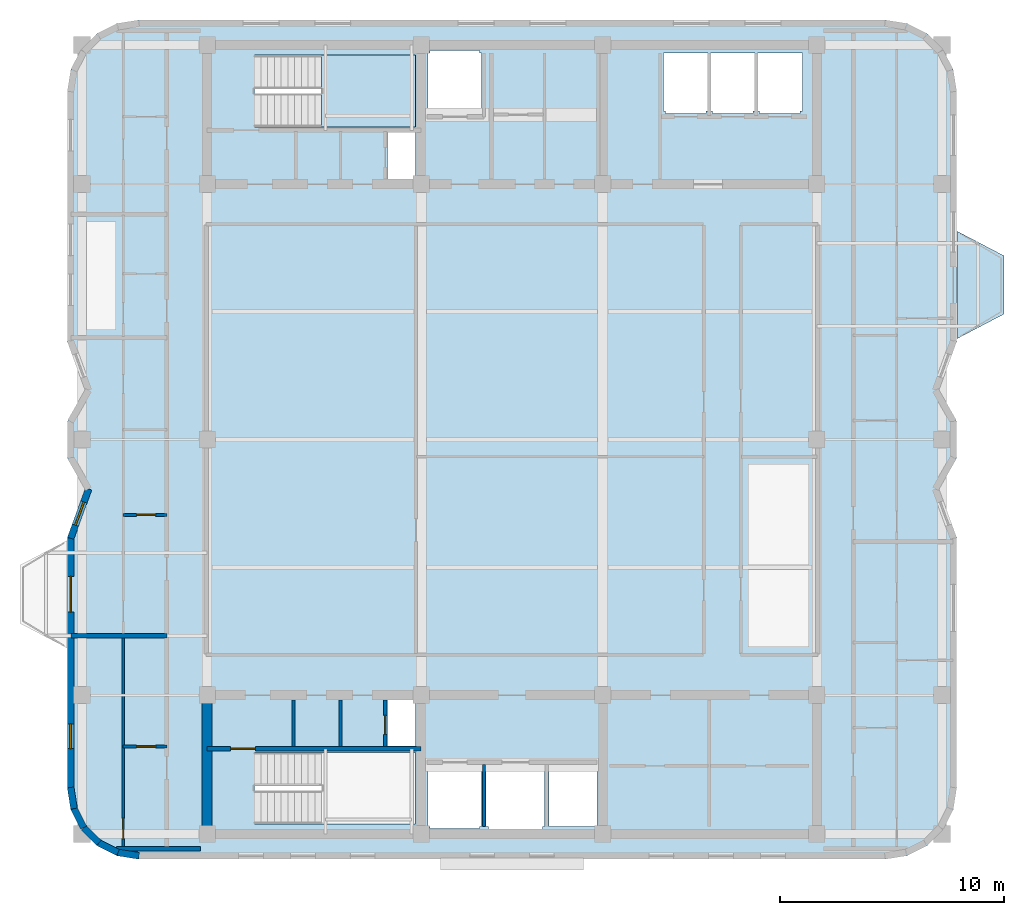
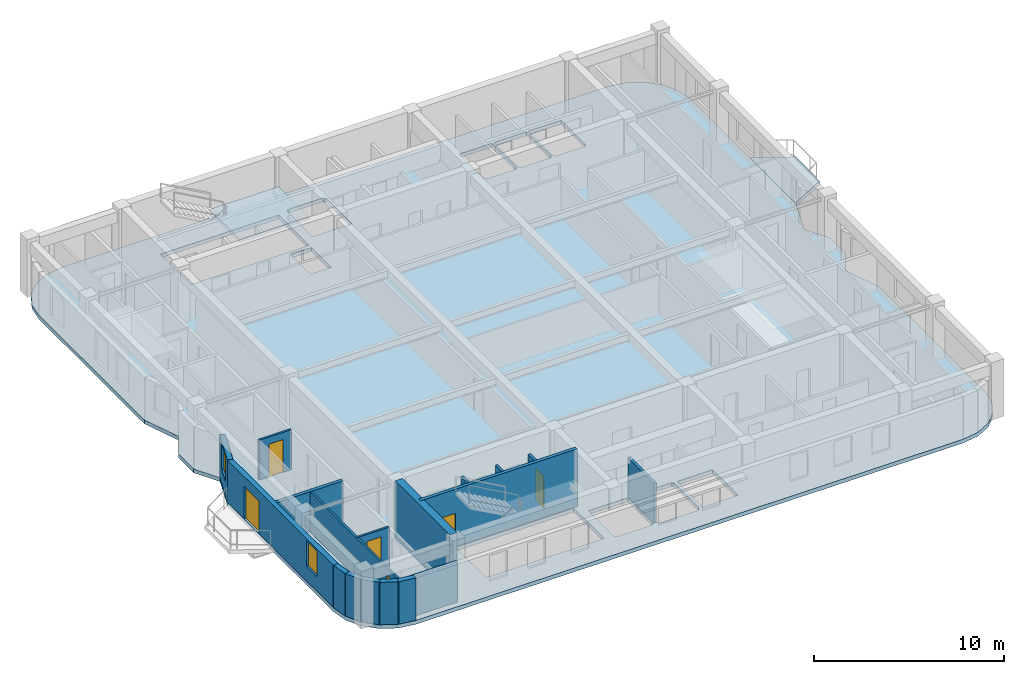
# One storey, part 2 of 9: 18 walls, 6 doors, 3 slabs, 2 windows, 8 openings, 1 element without a shape of its own.
"""IFC4 building model written with IfcOpenShell, lengths in metres."""

from ifc_helpers import new_model, si_unit, direction, frame, frame_2d, origin, place, context, subcontext, project, spatial, polyline, rectangle, outline, extrude, material, layer, layer_set, type_object, element, fill, aggregate, save


model = new_model("IFC4")

# Units and contexts
model_context = context("Model", 3, precision=1e-05, world=origin(), true_north=direction((0.0, 1.0)))
body_context = subcontext(model_context, "Body", "Model", "MODEL_VIEW")
ifc_project = project(units=[si_unit("LENGTHUNIT", "METRE"), si_unit("AREAUNIT", "SQUARE_METRE"), si_unit("VOLUMEUNIT", "CUBIC_METRE"), si_unit("PLANEANGLEUNIT", "RADIAN"), si_unit("MASSUNIT", "GRAM", prefix="KILO")], contexts=[model_context])

# Site, building, storey
site_placement = place(None, origin())
site = spatial("IfcSite", under=ifc_project, at=site_placement, CompositionType="ELEMENT")
building_placement = place(site_placement, origin())
building = spatial("IfcBuilding", under=site, at=building_placement, Name="Svetorya Sky Lyceum", CompositionType="ELEMENT")
storey_placement = place(building_placement, frame((0.0, 0.0, 271.300048828125)))
storey = spatial("IfcBuildingStorey", under=building, at=storey_placement, Name="L68", CompositionType="ELEMENT", Elevation=271.300048828125)

# Slab
ifc_material_1 = material(Name="Concrete C40/50", Category="concrete")
ifc_layer_1 = layer(ifc_material_1, 0.25)
ifc_layer_set_1 = layer_set([ifc_layer_1], Name="Concrete C40/50")
slab_type_1 = type_object("IfcSlabType", Name="SL-BAL-250", PredefinedType="FLOOR", material=ifc_layer_set_1)
slab_1_placement = place(storey_placement, frame((0.0, 0.0, -0.25)))
element("IfcSlab", 1, at=slab_1_placement, inside=storey, type_object=slab_type_1, Name="L68 Chamfered Loggia Balcony BAL-E1", PredefinedType="FLOOR", context=body_context, shape_type="SweptSolid", body=[
    extrude(outline(polyline([(59.050048828125, 32.699951171875), (61.14990234375, 33.800048828125), (61.14990234375, 36.39990234375), (59.050048828125, 37.5), (59.050048828125, 32.699951171875)])), origin(), (0.0, 0.0, 1.0), 0.25),
])

# Stair, slab
stair_type = type_object("IfcStairType", Name="STR-ST-N", PredefinedType="HALF_TURN_STAIR", material=ifc_material_1)
stair_placement = place(storey_placement, origin())
stair = element("IfcStair", 2, at=stair_placement, inside=storey, type_object=stair_type, Name="L68 North Core Smoke-Free Exit Stair N3", PredefinedType="HALF_TURN_STAIR")
ifc_layer_2 = layer(ifc_material_1, 0.199951171875)
ifc_layer_set_2 = layer_set([ifc_layer_2], Name="Concrete C40/50")
slab_type_2 = type_object("IfcSlabType", Name="SL-STR-LAND-200", PredefinedType="LANDING", material=ifc_layer_set_2)
slab_2_placement = place(storey_placement, frame((0.0, 0.0, 1.64990234375)))
slab_2 = element("IfcSlab", 3, at=slab_2_placement, type_object=slab_type_2, Name="ST-N landing 1", PredefinedType="LANDING", context=body_context, shape_type="SweptSolid", body=[
    extrude(outline(polyline([(30.699951171875, 42.14990234375), (34.89990234375, 42.14990234375), (34.89990234375, 45.35009765625), (30.699951171875, 45.35009765625), (30.699951171875, 42.14990234375)])), origin(), (0.0, 0.0, 1.0), 0.199951171875),
])
aggregate(stair, [slab_2])

# Slab
ifc_layer_3 = layer(ifc_material_1, 0.25)
ifc_layer_set_3 = layer_set([ifc_layer_3], Name="Concrete C40/50")
slab_type_3 = type_object("IfcSlabType", Name="SL-TWR-250", PredefinedType="FLOOR", material=ifc_layer_set_3)
slab_3_placement = place(storey_placement, frame((0.0, 0.0, -0.25)))
element("IfcSlab", 4, at=slab_3_placement, inside=storey, type_object=slab_type_3, Name="L68 Structural Floor Slab", PredefinedType="FLOOR", context=body_context, shape_type="SweptSolid", body=[
    extrude(outline(polyline([(19.360107421875, 12.679931640625), (19.5166015625, 11.691162109375), (19.97119140625, 10.799072265625), (20.67919921875, 10.091064453125), (21.571044921875, 9.63671875), (22.56005859375, 9.47998046875), (55.840087890625, 9.47998046875), (56.828857421875, 9.63671875), (57.720947265625, 10.091064453125), (58.428955078125, 10.799072265625), (58.88330078125, 11.691162109375), (59.0400390625, 12.679931640625), (59.0400390625, 23.800048828125), (58.239990234375, 26.0), (59.0400390625, 27.39990234375), (59.0400390625, 29.0), (58.239990234375, 30.39990234375), (59.0400390625, 32.60009765625), (59.0400390625, 43.719970703125), (58.88330078125, 44.708984375), (58.428955078125, 45.600830078125), (57.720947265625, 46.308837890625), (56.828857421875, 46.763427734375), (55.840087890625, 46.919921875), (22.56005859375, 46.919921875), (21.571044921875, 46.763427734375), (20.67919921875, 46.308837890625), (19.97119140625, 45.600830078125), (19.5166015625, 44.708984375), (19.360107421875, 43.719970703125), (19.360107421875, 32.60009765625), (20.159912109375, 30.39990234375), (19.360107421875, 29.0), (19.360107421875, 27.39990234375), (20.159912109375, 26.0), (19.360107421875, 23.800048828125), (19.360107421875, 12.679931640625)]), holes=[polyline([(37.85009765625, 10.949951171875), (37.75, 10.949951171875), (37.75, 10.85009765625), (35.550048828125, 10.85009765625), (35.550048828125, 10.949951171875), (35.449951171875, 10.949951171875), (35.449951171875, 13.64990234375), (35.550048828125, 13.64990234375), (37.75, 13.64990234375), (37.85009765625, 13.64990234375), (37.85009765625, 10.949951171875)]), polyline([(38.14990234375, 10.800048828125), (38.14990234375, 10.949951171875), (38.050048828125, 10.949951171875), (38.050048828125, 13.64990234375), (38.14990234375, 13.64990234375), (38.14990234375, 13.699951171875), (40.550048828125, 13.699951171875), (40.550048828125, 13.64990234375), (40.64990234375, 13.64990234375), (40.64990234375, 10.949951171875), (40.550048828125, 10.949951171875), (40.550048828125, 10.800048828125), (38.14990234375, 10.800048828125)]), polyline([(27.719970703125, 11.050048828125), (27.719970703125, 14.25), (34.89990234375, 14.25), (34.89990234375, 11.050048828125), (27.719970703125, 11.050048828125)]), polyline([(33.64990234375, 14.52001953125), (33.64990234375, 16.580078125), (34.89990234375, 16.580078125), (34.89990234375, 14.52001953125), (33.64990234375, 14.52001953125)]), polyline([(33.64990234375, 39.820068359375), (33.64990234375, 41.89990234375), (34.89990234375, 41.89990234375), (34.89990234375, 39.820068359375), (33.64990234375, 39.820068359375)]), polyline([(27.719970703125, 42.14990234375), (27.719970703125, 45.35009765625), (34.89990234375, 45.35009765625), (34.89990234375, 42.14990234375), (27.719970703125, 42.14990234375)]), polyline([(37.75, 42.75), (35.550048828125, 42.75), (35.449951171875, 42.75), (35.449951171875, 45.449951171875), (35.550048828125, 45.449951171875), (35.550048828125, 45.550048828125), (37.75, 45.550048828125), (37.75, 45.449951171875), (37.85009765625, 45.449951171875), (37.85009765625, 42.75), (37.75, 42.75)]), polyline([(40.85009765625, 10.949951171875), (40.85009765625, 13.64990234375), (43.0, 13.64990234375), (43.0, 10.949951171875), (40.85009765625, 10.949951171875)]), polyline([(46.050048828125, 42.75), (46.050048828125, 42.85009765625), (45.949951171875, 42.85009765625), (45.949951171875, 45.449951171875), (46.050048828125, 45.449951171875), (47.85009765625, 45.449951171875), (47.949951171875, 45.449951171875), (47.949951171875, 42.85009765625), (47.85009765625, 42.85009765625), (47.85009765625, 42.75), (46.050048828125, 42.75)]), polyline([(50.050048828125, 42.85009765625), (49.949951171875, 42.85009765625), (49.949951171875, 42.75), (48.14990234375, 42.75), (48.14990234375, 42.85009765625), (48.050048828125, 42.85009765625), (48.050048828125, 45.449951171875), (48.14990234375, 45.449951171875), (49.949951171875, 45.449951171875), (50.050048828125, 45.449951171875), (50.050048828125, 42.85009765625)]), polyline([(52.14990234375, 42.85009765625), (52.050048828125, 42.85009765625), (52.050048828125, 42.75), (50.25, 42.75), (50.25, 42.85009765625), (50.14990234375, 42.85009765625), (50.14990234375, 45.449951171875), (50.25, 45.449951171875), (52.050048828125, 45.449951171875), (52.14990234375, 45.449951171875), (52.14990234375, 42.85009765625)])]), origin(), (0.0, 0.0, 1.0), 0.25),
])

# Walls
ifc_material_2 = material(Name="Concrete C50/60", Category="concrete")
ifc_layer_4 = layer(ifc_material_2, 0.449951171875)
ifc_layer_set_4 = layer_set([ifc_layer_4], Name="Concrete C50/60")
wall_type_1 = type_object("IfcWallType", Name="WL-CORE-450", PredefinedType="SHEAR", material=ifc_layer_set_4)
wall_1_placement = place(storey_placement, frame((25.60009765625, 10.824951171875, 0.0), z_axis=(0.0, 0.0, 1.0), x_axis=(0.0, 1.0, 0.0)))
element("IfcWall", 5, at=wall_1_placement, inside=storey, type_object=wall_type_1, Name="L68 SC West Core Shear Wall", PredefinedType="SHEAR", context=body_context, shape_type="SweptSolid", body=[
    extrude(rectangle(XDim=5.75, YDim=0.449951171875, at=frame_2d((2.875, 0.0))), origin(), (0.0, 0.0, 1.0), 3.699951171875),
])
ifc_material_3 = material(Name="Putilovo limestone rainscreen on autoclaved cellular masonry", Category="masonry")
ifc_layer_5 = layer(ifc_material_3, 0.300048828125)
ifc_layer_set_5 = layer_set([ifc_layer_5], Name="Putilovo limestone rainscreen on autoclaved cellular masonry")
wall_type_2 = type_object("IfcWallType", Name="WL-EXT-300", PredefinedType="SOLIDWALL", material=ifc_layer_set_5)
wall_2_placement = place(storey_placement, frame((19.510009765625, 12.679931640625, 0.0), z_axis=(0.0, 0.0, 1.0), x_axis=(0.156343617883, -0.987702725088, 0.0)))
element("IfcWall", 6, at=wall_2_placement, inside=storey, type_object=wall_type_2, Name="L68 Limestone Exterior Wall 1M", PredefinedType="SOLIDWALL", context=body_context, shape_type="SweptSolid", body=[
    extrude(rectangle(XDim=0.9541015625, YDim=0.300048828125, at=frame_2d((0.47705078125, 0.0))), origin(), (0.0, 0.0, 1.0), 2.72998046875),
])
for number, where, z_axis, x_axis, name in (
    (7, (19.6591796875, 11.737548828125, 0.0), (0.0, 0.0, 1.0), (0.454056065666, -0.890973113642, 0.0), "L68 Limestone Exterior Wall 2M"),
    (8, (20.092529296875, 10.88720703125, 0.0), (0.0, 0.0, 1.0), (0.707106781187, -0.707106781187, 0.0), "L68 Limestone Exterior Wall 3M"),
):
    element("IfcWall", number, at=place(storey_placement, frame(where, z_axis=z_axis, x_axis=x_axis)), inside=storey, type_object=wall_type_2, Name=name, PredefinedType="SOLIDWALL", context=body_context, shape_type="SweptSolid", body=[
        extrude(rectangle(XDim=0.954345703125, YDim=0.300048828125, at=frame_2d((0.47705078125, 0.0))), origin(), (0.0, 0.0, 1.0), 2.72998046875),
    ])
wall_3_placement = place(storey_placement, frame((20.767333984375, 10.21240234375, 0.0), z_axis=(0.0, 0.0, 1.0), x_axis=(0.891023873617, -0.45395644796, 0.0)))
element("IfcWall", 9, at=wall_3_placement, inside=storey, type_object=wall_type_2, Name="L68 Limestone Exterior Wall 4M", PredefinedType="SOLIDWALL", context=body_context, shape_type="SweptSolid", body=[
    extrude(rectangle(XDim=0.9541015625, YDim=0.300048828125, at=frame_2d((0.47705078125, 0.0))), origin(), (0.0, 0.0, 1.0), 2.72998046875),
])
wall_4_placement = place(storey_placement, frame((21.617431640625, 9.779296875, 0.0), z_axis=(0.0, 0.0, 1.0), x_axis=(0.987669453596, -0.156553666304, 0.0)))
element("IfcWall", 10, at=wall_4_placement, inside=storey, type_object=wall_type_2, Name="L68 Limestone Exterior Wall 5M", PredefinedType="SOLIDWALL", context=body_context, shape_type="SweptSolid", body=[
    extrude(rectangle(XDim=0.954345703125, YDim=0.300048828125, at=frame_2d((0.47705078125, 0.0))), origin(), (0.0, 0.0, 1.0), 2.72998046875),
])

# Wall, opening, window
wall_5_placement = place(storey_placement, frame((20.31005859375, 26.0, 0.0), z_axis=(0.0, 0.0, 1.0), x_axis=(-0.341768184638, -0.939784287999, 0.0)))
wall_5 = element("IfcWall", 11, at=wall_5_placement, inside=storey, type_object=wall_type_2, Name="L68 Limestone Exterior Wall 35M", PredefinedType="SOLIDWALL", context=body_context, shape_type="SweptSolid", body=[
    extrude(rectangle(XDim=2.3408203125, YDim=0.300048828125, at=frame_2d((1.17041015625, 0.0))), origin(), (0.0, 0.0, 1.0), 2.72998046875),
])
opening_1_placement = place(wall_5_placement, frame((0.62060546875, 0.0, 0.919921875)))
opening_1 = element("IfcOpeningElement", 12, at=opening_1_placement, cuts=wall_5, Name="Opening W-R3", PredefinedType="OPENING", context=body_context, shape_type="SweptSolid", body=[
    extrude(rectangle(XDim=1.10009765625, YDim=1.64990234375, at=frame_2d((0.550048828125, 0.824951171875))), frame((0.0, 0.159912109375, 0.0), z_axis=(0.0, -1.0, 0.0), x_axis=(1.0, 0.0, 0.0)), (0.0, 0.0, 1.0), 0.320068359375),
])
ifc_material_4 = material(Name="Thermally broken aluminium frame with triple low-E glazing", Category="aluminium")
window_type = type_object("IfcWindowType", Name="WN-RES-110", PartitioningType="SINGLE_PANEL", PredefinedType="WINDOW", material=ifc_material_4)
window_1_placement = place(opening_1_placement, origin())
window_1 = element("IfcWindow", 13, at=window_1_placement, inside=storey, type_object=window_type, Name="L68 Facade Window W-R3.35M.1", OverallHeight=1.64990234375, OverallWidth=1.10009765625, PartitioningType="SINGLE_PANEL", PredefinedType="WINDOW", context=body_context, shape_type="SweptSolid", body=[
    extrude(rectangle(XDim=1.10009765625, YDim=1.64990234375, at=frame_2d((0.550048828125, 0.824951171875))), frame((0.0, 0.030029296875, 0.0), z_axis=(0.0, -1.0, 0.0), x_axis=(1.0, 0.0, 0.0)), (0.0, 0.0, 1.0), 0.06005859375),
])
fill(opening_1, window_1)

# Wall, openings, door, window
wall_6_placement = place(storey_placement, frame((19.510009765625, 23.800048828125, 0.0), z_axis=(0.0, 0.0, 1.0), x_axis=(0.0, -1.0, 0.0)))
wall_6 = element("IfcWall", 14, at=wall_6_placement, inside=storey, type_object=wall_type_2, Name="L68 Limestone Exterior Wall 36M", PredefinedType="SOLIDWALL", context=body_context, shape_type="SweptSolid", body=[
    extrude(rectangle(XDim=11.1201171875, YDim=0.300048828125, at=frame_2d((5.56005859375, 0.0))), origin(), (0.0, 0.0, 1.0), 2.72998046875),
])
opening_2_placement = place(wall_6_placement, frame((1.699951171875, 0.0, 0.0)))
opening_2 = element("IfcOpeningElement", 15, at=opening_2_placement, cuts=wall_6, Name="Opening D-BL1", PredefinedType="OPENING", context=body_context, shape_type="SweptSolid", body=[
    extrude(rectangle(XDim=1.60009765625, YDim=2.10009765625, at=frame_2d((0.800048828125, 1.050048828125))), frame((0.0, 0.159912109375, 0.0), z_axis=(0.0, -1.0, 0.0), x_axis=(1.0, 0.0, 0.0)), (0.0, 0.0, 1.0), 0.320068359375),
])
opening_3_placement = place(wall_6_placement, frame((8.283203125, 0.0, 0.949951171875)))
opening_3 = element("IfcOpeningElement", 16, at=opening_3_placement, cuts=wall_6, Name="Opening W-R3", PredefinedType="OPENING", context=body_context, shape_type="SweptSolid", body=[
    extrude(rectangle(XDim=1.10009765625, YDim=1.64990234375, at=frame_2d((0.550048828125, 0.824951171875))), frame((0.0, 0.159912109375, 0.0), z_axis=(0.0, -1.0, 0.0), x_axis=(1.0, 0.0, 0.0)), (0.0, 0.0, 1.0), 0.320068359375),
])
ifc_material_5 = material(Name="Insulated glazed aluminium balcony door", Category="aluminium")
door_type_1 = type_object("IfcDoorType", Name="DR-BAL-1600", OperationType="DOUBLE_DOOR_SINGLE_SWING", PredefinedType="DOOR", material=ifc_material_5)
door_1_placement = place(opening_2_placement, origin())
door_1 = element("IfcDoor", 17, at=door_1_placement, inside=storey, type_object=door_type_1, Name="L68 Balcony BAL-W1 Door", OperationType="DOUBLE_DOOR_SINGLE_SWING", OverallHeight=2.10009765625, OverallWidth=1.60009765625, PredefinedType="DOOR", context=body_context, shape_type="SweptSolid", body=[
    extrude(rectangle(XDim=1.60009765625, YDim=2.10009765625, at=frame_2d((0.800048828125, 1.050048828125))), frame((0.0, 0.02490234375, 0.0), z_axis=(0.0, -1.0, 0.0), x_axis=(1.0, 0.0, 0.0)), (0.0, 0.0, 1.0), 0.050048828125),
])
fill(opening_2, door_1)
window_2_placement = place(opening_3_placement, origin())
window_2 = element("IfcWindow", 18, at=window_2_placement, inside=storey, type_object=window_type, Name="L68 Facade Window W-R3.36M.1", OverallHeight=1.64990234375, OverallWidth=1.10009765625, PartitioningType="SINGLE_PANEL", PredefinedType="WINDOW", context=body_context, shape_type="SweptSolid", body=[
    extrude(rectangle(XDim=1.10009765625, YDim=1.64990234375, at=frame_2d((0.550048828125, 0.824951171875))), frame((0.0, 0.030029296875, 0.0), z_axis=(0.0, -1.0, 0.0), x_axis=(1.0, 0.0, 0.0)), (0.0, 0.0, 1.0), 0.06005859375),
])
fill(opening_3, window_2)

# Wall, opening, door
ifc_material_6 = material(Name="Twin-stud galvanized framing with double fireboard", Category="gypsum")
ifc_layer_6 = layer(ifc_material_6, 0.1201171875)
ifc_layer_set_6 = layer_set([ifc_layer_6], Name="Twin-stud galvanized framing with double fireboard")
wall_type_3 = type_object("IfcWallType", Name="WL-PART-120", PredefinedType="PARTITIONING", material=ifc_layer_set_6)
wall_7_placement = place(storey_placement, frame((21.85009765625, 14.510009765625, 0.0), z_axis=(0.0, 0.0, 1.0), x_axis=(1.0, 0.0, 0.0)))
wall_7 = element("IfcWall", 19, at=wall_7_placement, inside=storey, type_object=wall_type_3, Name="L68 Interior Partition W1-WH1", PredefinedType="PARTITIONING", context=body_context, shape_type="SweptSolid", body=[
    extrude(rectangle(XDim=1.949951171875, YDim=0.1201171875, at=frame_2d((0.97509765625, 0.0))), origin(), (0.0, 0.0, 1.0), 2.56005859375),
])
opening_4_placement = place(wall_7_placement, frame((0.60009765625, 0.0, 0.0)))
opening_4 = element("IfcOpeningElement", 20, at=opening_4_placement, cuts=wall_7, Name="Opening D-BT1", PredefinedType="OPENING", context=body_context, shape_type="SweptSolid", body=[
    extrude(rectangle(XDim=0.85009765625, YDim=2.10009765625, at=frame_2d((0.425048828125, 1.050048828125))), frame((0.0, 0.070068359375, 0.0), z_axis=(0.0, -1.0, 0.0), x_axis=(1.0, 0.0, 0.0)), (0.0, 0.0, 1.0), 0.14013671875),
])
ifc_material_7 = material(Name="Moisture-resistant laminate bathroom door")
door_type_2 = type_object("IfcDoorType", Name="DR-WET-850", OperationType="SINGLE_SWING_LEFT", PredefinedType="DOOR", material=ifc_material_7)
door_2_placement = place(opening_4_placement, origin())
door_2 = element("IfcDoor", 21, at=door_2_placement, inside=storey, type_object=door_type_2, Name="Apartment W1 Bathroom Door", OperationType="SINGLE_SWING_LEFT", OverallHeight=2.10009765625, OverallWidth=0.85009765625, PredefinedType="DOOR", context=body_context, shape_type="SweptSolid", body=[
    extrude(rectangle(XDim=0.85009765625, YDim=2.10009765625, at=frame_2d((0.425048828125, 1.050048828125))), frame((0.0, 0.02490234375, 0.0), z_axis=(0.0, -1.0, 0.0), x_axis=(1.0, 0.0, 0.0)), (0.0, 0.0, 1.0), 0.050048828125),
])
fill(opening_4, door_2)

wall_8_placement = place(storey_placement, frame((21.85009765625, 9.989990234375, 0.0), z_axis=(0.0, 0.0, 1.0), x_axis=(0.0, 1.0, 0.0)))
wall_8 = element("IfcWall", 22, at=wall_8_placement, inside=storey, type_object=wall_type_3, Name="L68 Interior Partition W1-WV", PredefinedType="PARTITIONING", context=body_context, shape_type="SweptSolid", body=[
    extrude(rectangle(XDim=9.409912109375, YDim=0.1201171875, at=frame_2d((4.705078125, 0.0))), origin(), (0.0, 0.0, 1.0), 2.56005859375),
])
opening_5_placement = place(wall_8_placement, frame((0.409912109375, 0.0, 0.0)))
opening_5 = element("IfcOpeningElement", 23, at=opening_5_placement, cuts=wall_8, Name="Opening D-RM1", PredefinedType="OPENING", context=body_context, shape_type="SweptSolid", body=[
    extrude(rectangle(XDim=0.89990234375, YDim=2.10009765625, at=frame_2d((0.449951171875, 1.050048828125))), frame((0.0, 0.070068359375, 0.0), z_axis=(0.0, -1.0, 0.0), x_axis=(1.0, 0.0, 0.0)), (0.0, 0.0, 1.0), 0.14013671875),
])
ifc_material_8 = material(Name="Lacquered birch veneer internal door")
door_type_3 = type_object("IfcDoorType", Name="DR-INT-900", OperationType="SINGLE_SWING_LEFT", PredefinedType="DOOR", material=ifc_material_8)
door_3_placement = place(opening_5_placement, origin())
door_3 = element("IfcDoor", 24, at=door_3_placement, inside=storey, type_object=door_type_3, Name="Apartment W1 Living Door", OperationType="SINGLE_SWING_RIGHT", OverallHeight=2.10009765625, OverallWidth=0.89990234375, PredefinedType="DOOR", context=body_context, shape_type="SweptSolid", body=[
    extrude(rectangle(XDim=0.89990234375, YDim=2.10009765625, at=frame_2d((0.449951171875, 1.050048828125))), frame((0.0, 0.02490234375, 0.0), z_axis=(0.0, -1.0, 0.0), x_axis=(1.0, 0.0, 0.0)), (0.0, 0.0, 1.0), 0.050048828125),
])
fill(opening_5, door_3)

wall_9_placement = place(storey_placement, frame((21.85009765625, 24.840087890625, 0.0), z_axis=(0.0, 0.0, 1.0), x_axis=(1.0, 0.0, 0.0)))
wall_9 = element("IfcWall", 25, at=wall_9_placement, inside=storey, type_object=wall_type_3, Name="L68 Interior Partition W2-WH1", PredefinedType="PARTITIONING", context=body_context, shape_type="SweptSolid", body=[
    extrude(rectangle(XDim=1.949951171875, YDim=0.1201171875, at=frame_2d((0.97509765625, 0.0))), origin(), (0.0, 0.0, 1.0), 2.56005859375),
])
opening_6_placement = place(wall_9_placement, frame((0.60009765625, 0.0, 0.0)))
opening_6 = element("IfcOpeningElement", 26, at=opening_6_placement, cuts=wall_9, Name="Opening D-BT1", PredefinedType="OPENING", context=body_context, shape_type="SweptSolid", body=[
    extrude(rectangle(XDim=0.85009765625, YDim=2.10009765625, at=frame_2d((0.425048828125, 1.050048828125))), frame((0.0, 0.070068359375, 0.0), z_axis=(0.0, -1.0, 0.0), x_axis=(1.0, 0.0, 0.0)), (0.0, 0.0, 1.0), 0.14013671875),
])
door_4_placement = place(opening_6_placement, origin())
door_4 = element("IfcDoor", 27, at=door_4_placement, inside=storey, type_object=door_type_2, Name="Apartment W2 Bathroom Door", OperationType="SINGLE_SWING_RIGHT", OverallHeight=2.10009765625, OverallWidth=0.85009765625, PredefinedType="DOOR", context=body_context, shape_type="SweptSolid", body=[
    extrude(rectangle(XDim=0.85009765625, YDim=2.10009765625, at=frame_2d((0.425048828125, 1.050048828125))), frame((0.0, 0.02490234375, 0.0), z_axis=(0.0, -1.0, 0.0), x_axis=(1.0, 0.0, 0.0)), (0.0, 0.0, 1.0), 0.050048828125),
])
fill(opening_6, door_4)

# Walls
ifc_material_9 = material(Name="Autoclaved cellular masonry blockwork with acoustic render", Category="masonry")
ifc_layer_7 = layer(ifc_material_9, 0.14990234375)
ifc_layer_set_7 = layer_set([ifc_layer_7], Name="Autoclaved cellular masonry blockwork with acoustic render")
wall_type_4 = type_object("IfcWallType", Name="WL-PART-150", PredefinedType="PARTITIONING", material=ifc_layer_set_7)
for number, where, z_axis, x_axis, name in (
    (28, (29.449951171875, 14.5, 0.0), (0.0, 0.0, 1.0), (0.0, 1.0, 0.0), "L68 Interior Partition SC-SWD1"),
    (29, (31.550048828125, 14.5, 0.0), (0.0, 0.0, 1.0), (0.0, 1.0, 0.0), "L68 Interior Partition SC-SWD2"),
):
    element("IfcWall", number, at=place(storey_placement, frame(where, z_axis=z_axis, x_axis=x_axis)), inside=storey, type_object=wall_type_4, Name=name, PredefinedType="PARTITIONING", context=body_context, shape_type="SweptSolid", body=[
        extrude(rectangle(XDim=2.080078125, YDim=0.14990234375, at=frame_2d((1.0400390625, 0.0))), origin(), (0.0, 0.0, 1.0), 2.56005859375),
    ])

# Wall, opening, door
wall_10_placement = place(storey_placement, frame((33.550048828125, 14.5, 0.0), z_axis=(0.0, 0.0, 1.0), x_axis=(0.0, 1.0, 0.0)))
wall_10 = element("IfcWall", 30, at=wall_10_placement, inside=storey, type_object=wall_type_4, Name="L68 Interior Partition SC-SWD3", PredefinedType="PARTITIONING", context=body_context, shape_type="SweptSolid", body=[
    extrude(rectangle(XDim=2.080078125, YDim=0.14990234375, at=frame_2d((1.0400390625, 0.0))), origin(), (0.0, 0.0, 1.0), 2.56005859375),
])
opening_7_placement = place(wall_10_placement, frame((0.550048828125, 0.0, 0.0)))
opening_7 = element("IfcOpeningElement", 31, at=opening_7_placement, cuts=wall_10, Name="Opening D-SH1", PredefinedType="OPENING", context=body_context, shape_type="SweptSolid", body=[
    extrude(rectangle(XDim=0.85009765625, YDim=2.050048828125, at=frame_2d((0.425048828125, 1.02490234375))), frame((0.0, 0.0849609375, 0.0), z_axis=(0.0, -1.0, 0.0), x_axis=(1.0, 0.0, 0.0)), (0.0, 0.0, 1.0), 0.169921875),
])
ifc_material_10 = material(Name="Insulated galvanized riser inspection fire door")
door_type_4 = type_object("IfcDoorType", Name="DR-SHFT-850", OperationType="SINGLE_SWING_LEFT", PredefinedType="TRAPDOOR", material=ifc_material_10)
door_5_placement = place(opening_7_placement, origin())
door_5 = element("IfcDoor", 32, at=door_5_placement, inside=storey, type_object=door_type_4, Name="L68 South Riser Access Door", OperationType="SINGLE_SWING_RIGHT", OverallHeight=2.050048828125, OverallWidth=0.85009765625, PredefinedType="TRAPDOOR", context=body_context, shape_type="SweptSolid", body=[
    extrude(rectangle(XDim=0.85009765625, YDim=2.050048828125, at=frame_2d((0.425048828125, 1.02490234375))), frame((0.0, 0.02490234375, 0.0), z_axis=(0.0, -1.0, 0.0), x_axis=(1.0, 0.0, 0.0)), (0.0, 0.0, 1.0), 0.050048828125),
])
fill(opening_7, door_5)

# Walls
wall_11_placement = place(storey_placement, frame((37.949951171875, 10.949951171875, 0.0), z_axis=(0.0, 0.0, 1.0), x_axis=(0.0, 1.0, 0.0)))
element("IfcWall", 33, at=wall_11_placement, inside=storey, type_object=wall_type_4, Name="L68 Interior Partition SC-SHD1", PredefinedType="PARTITIONING", context=body_context, shape_type="SweptSolid", body=[
    extrude(rectangle(XDim=2.75, YDim=0.14990234375, at=frame_2d((1.375, 0.0))), origin(), (0.0, 0.0, 1.0), 2.56005859375),
])
ifc_material_11 = material(Name="Autoclaved cellular masonry blockwork with gypsum plaster", Category="masonry")
ifc_layer_8 = layer(ifc_material_11, 0.199951171875)
ifc_layer_set_8 = layer_set([ifc_layer_8], Name="Autoclaved cellular masonry blockwork with gypsum plaster")
wall_type_5 = type_object("IfcWallType", Name="WL-PART-200", PredefinedType="PARTITIONING", material=ifc_layer_set_8)
wall_12_placement = place(storey_placement, frame((19.530029296875, 19.43994140625, 0.0), z_axis=(0.0, 0.0, 1.0), x_axis=(1.0, 0.0, 0.0)))
element("IfcWall", 34, at=wall_12_placement, inside=storey, type_object=wall_type_5, Name="L68 Interior Partition W-PARTY-1", PredefinedType="PARTITIONING", context=body_context, shape_type="SweptSolid", body=[
    extrude(rectangle(XDim=4.27001953125, YDim=0.199951171875, at=frame_2d((2.135009765625, 0.0))), origin(), (0.0, 0.0, 1.0), 2.56005859375),
])
wall_13_placement = place(storey_placement, frame((21.5458984375, 9.949951171875, 0.0), z_axis=(0.0, 0.0, 1.0), x_axis=(1.0, 0.0, 0.0)))
element("IfcWall", 35, at=wall_13_placement, inside=storey, type_object=wall_type_5, Name="L68 Interior Partition W-CAP-S", PredefinedType="PARTITIONING", context=body_context, shape_type="SweptSolid", body=[
    extrude(rectangle(XDim=3.754150390625, YDim=0.199951171875, at=frame_2d((1.876953125, 0.0))), origin(), (0.0, 0.0, 1.0), 2.56005859375),
])

# Wall, opening, door
ifc_layer_9 = layer(ifc_material_2, 0.199951171875)
ifc_layer_set_9 = layer_set([ifc_layer_9], Name="Concrete C50/60")
wall_type_6 = type_object("IfcWallType", Name="WL-SHW-200", PredefinedType="SHEAR", material=ifc_layer_set_9)
wall_14_placement = place(storey_placement, frame((25.60009765625, 14.39990234375, 0.0), z_axis=(0.0, 0.0, 1.0), x_axis=(1.0, 0.0, 0.0)))
wall_14 = element("IfcWall", 36, at=wall_14_placement, inside=storey, type_object=wall_type_6, Name="L68 Structural Stair Shaft Wall SC-STW", PredefinedType="SHEAR", context=body_context, shape_type="SweptSolid", body=[
    extrude(rectangle(XDim=9.5498046875, YDim=0.199951171875, at=frame_2d((4.77490234375, 0.0))), origin(), (0.0, 0.0, 1.0), 3.699951171875),
])
opening_8_placement = place(wall_14_placement, frame((1.050048828125, 0.0, 0.0)))
opening_8 = element("IfcOpeningElement", 37, at=opening_8_placement, cuts=wall_14, Name="Opening D-ST1", PredefinedType="OPENING", context=body_context, shape_type="SweptSolid", body=[
    extrude(rectangle(XDim=1.10009765625, YDim=2.14990234375, at=frame_2d((0.550048828125, 1.074951171875))), frame((0.0, 0.10986328125, 0.0), z_axis=(0.0, -1.0, 0.0), x_axis=(1.0, 0.0, 0.0)), (0.0, 0.0, 1.0), 0.219970703125),
])
ifc_material_12 = material(Name="Powder-coated insulated galvanized stair fire door")
door_type_5 = type_object("IfcDoorType", Name="DR-FIRE-1100", OperationType="SINGLE_SWING_LEFT", PredefinedType="DOOR", material=ifc_material_12)
door_6_placement = place(opening_8_placement, origin())
door_6 = element("IfcDoor", 38, at=door_6_placement, inside=storey, type_object=door_type_5, Name="L68 Stair ST-S Vestibule Fire Door", OperationType="SINGLE_SWING_LEFT", OverallHeight=2.14990234375, OverallWidth=1.10009765625, PredefinedType="DOOR", context=body_context, shape_type="SweptSolid", body=[
    extrude(rectangle(XDim=1.10009765625, YDim=2.14990234375, at=frame_2d((0.550048828125, 1.074951171875))), frame((0.0, 0.02490234375, 0.0), z_axis=(0.0, -1.0, 0.0), x_axis=(1.0, 0.0, 0.0)), (0.0, 0.0, 1.0), 0.050048828125),
])
fill(opening_8, door_6)

save(model, "model.ifc")
